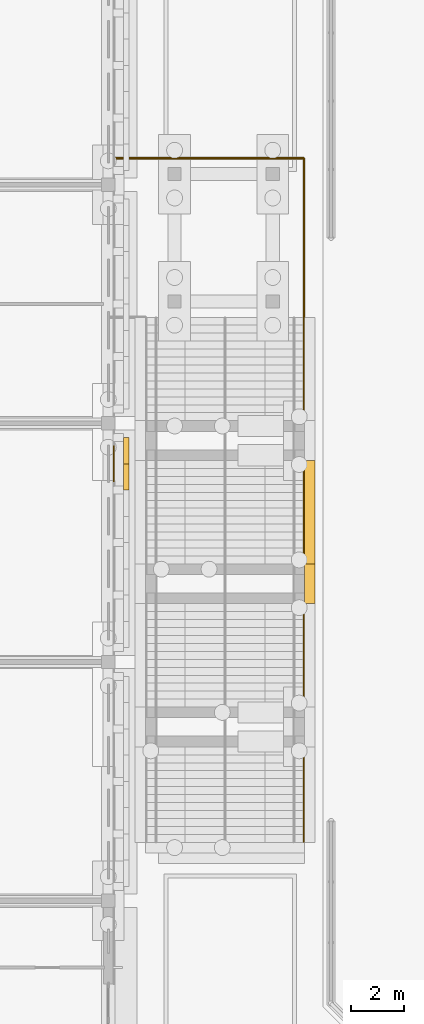
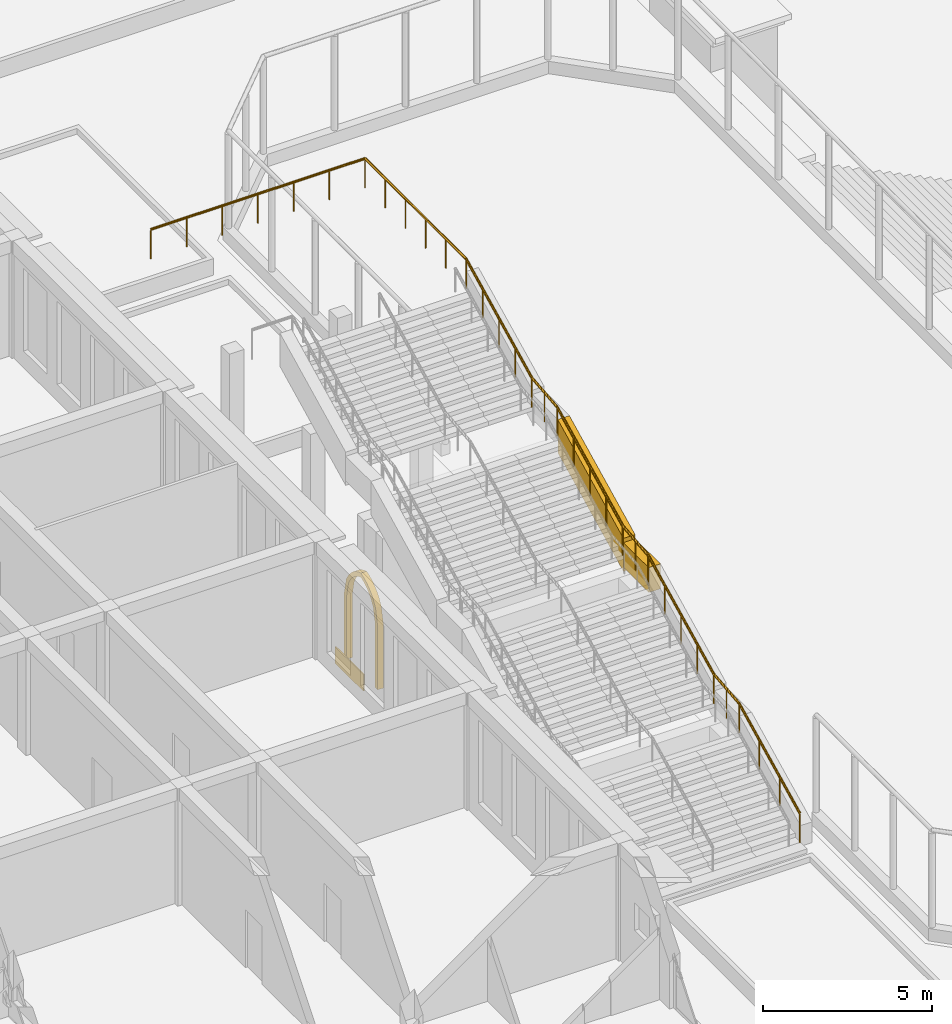
# One storey, part 136 of 161: 4 coverings, 1 railing.
"""IFC4 building model written with IfcOpenShell, lengths in metres."""

from ifc_helpers import new_model, si_unit, direction, frame, origin, origin_2d, place, context, subcontext, project, spatial, polyline, rectangle, circle, outline, extrude, material, layer, layer_set, type_object, element, save


model = new_model("IFC4")

# Units and contexts
model_context = context("Model", 3, precision=1e-05, world=origin(), true_north=direction((0.0, 1.0)))
body_context = subcontext(model_context, "Body", "Model", "MODEL_VIEW")
ifc_project = project(units=[si_unit("LENGTHUNIT", "METRE"), si_unit("AREAUNIT", "SQUARE_METRE"), si_unit("VOLUMEUNIT", "CUBIC_METRE"), si_unit("PLANEANGLEUNIT", "RADIAN"), si_unit("MASSUNIT", "GRAM", prefix="KILO")], contexts=[model_context])

# Site, building, storey
site_placement = place(None, origin())
site = spatial("IfcSite", under=ifc_project, at=site_placement, CompositionType="ELEMENT")
building_placement = place(site_placement, origin())
building = spatial("IfcBuilding", under=site, at=building_placement, Name="Elbe Cascade School", CompositionType="ELEMENT")
storey_placement = place(building_placement, origin())
storey = spatial("IfcBuildingStorey", under=building, at=storey_placement, Name="L00", CompositionType="ELEMENT", Elevation=0.0)

# Coverings
ifc_material_1 = material(Name="Sandstone - red", Category="masonry")
ifc_layer_1 = layer(ifc_material_1, 0.0400390625)
ifc_layer_set_1 = layer_set([ifc_layer_1], Name="Sandstone - red")
covering_type_1 = type_object("IfcCoveringType", Name="Bars envelope Sandstone cladding, red, 40 mm", PredefinedType="CLADDING", material=ifc_layer_set_1)
covering_1_placement = place(storey_placement, frame((175.10009765625, 31.469970703125, 0.0), z_axis=(0.0, 0.0, 1.0), x_axis=(0.0, 1.0, 0.0)))
element("IfcCovering", 1, at=covering_1_placement, inside=storey, type_object=covering_type_1, Name="Sandstone cladding CV48 D.L00.e.3.5", PredefinedType="CLADDING", context=body_context, shape_type="SweptSolid", body=[
    extrude(rectangle(XDim=1.679931640625, YDim=0.0400390625, at=origin_2d()), origin(), (0.0, 0.0, 1.0), 0.60009765625),
])
ifc_material_2 = material(Name="Sandstone - red", Category="masonry")
covering_type_2 = type_object("IfcCoveringType", Name="Bars envelope Sandstone pointed arch band, 1980 wide, 200 deep", PredefinedType="CLADDING", material=ifc_material_2)
covering_2_placement = place(storey_placement, frame((175.679931640625, 30.6298828125, 0.0), z_axis=(1.0, 0.0, 0.0), x_axis=(0.0, 0.0, 1.0)))
element("IfcCovering", 2, at=covering_2_placement, inside=storey, type_object=covering_type_2, Name="Arcade arch CV68 D.L00.e3.4", PredefinedType="CLADDING", context=body_context, shape_type="SweptSolid", body=[
    extrude(outline(polyline([(0.0, 0.0), (2.330078125, 0.0), (2.822509765625, -0.105224609375), (3.010498046875, -0.210205078125), (3.143310546875, -0.315185546875), (3.2451171875, -0.420166015625), (3.325927734375, -0.525146484375), (3.390380859375, -0.630126953125), (3.44091796875, -0.735107421875), (3.47998046875, -0.840087890625), (3.44091796875, -0.945068359375), (3.390380859375, -1.050048828125), (3.325927734375, -1.155029296875), (3.2451171875, -1.260009765625), (3.143310546875, -1.365234375), (3.010498046875, -1.47021484375), (2.822509765625, -1.5751953125), (2.330078125, -1.68017578125), (0.0, -1.68017578125), (0.0, -1.830078125), (2.330078125, -1.830078125), (2.894287109375, -1.706298828125), (3.108642578125, -1.58251953125), (3.25927734375, -1.458740234375), (3.3740234375, -1.335205078125), (3.464111328125, -1.21142578125), (3.53466796875, -1.087646484375), (3.58935546875, -0.9638671875), (3.6298828125, -0.840087890625), (3.58935546875, -0.71630859375), (3.53466796875, -0.592529296875), (3.464111328125, -0.46875), (3.3740234375, -0.34521484375), (3.25927734375, -0.221435546875), (3.108642578125, -0.09765625), (2.894287109375, 0.026123046875), (2.330078125, 0.14990234375), (0.0, 0.14990234375), (0.0, 0.0)])), origin(), (0.0, 0.0, -1.0), 0.199951171875),
])
ifc_material_3 = material(Name="Sandstone - red", Category="masonry")
ifc_layer_2 = layer(ifc_material_3, 0.39990234375)
ifc_layer_set_2 = layer_set([ifc_layer_2], Name="Sandstone - red")
covering_type_3 = type_object("IfcCoveringType", Name="Cascade cheek wall 400", PredefinedType="CLADDING", material=ifc_layer_set_2)
covering_3_placement = place(storey_placement, frame((182.300048828125, 27.699951171875, 4.78466796875), z_axis=(0.0, -0.44589078677, 0.895087373542), x_axis=(0.0, 0.895087373542, 0.44589078677)))
element("IfcCovering", 3, at=covering_3_placement, inside=storey, type_object=covering_type_3, Name="Cascade flight 3 cheek wall e", PredefinedType="CLADDING", context=body_context, shape_type="SweptSolid", body=[
    extrude(outline(polyline([(0.0, 0.0), (4.357280193711668, 0.0), (4.357280193711668, -0.39990234375), (0.0, -0.39990234375), (0.0, 0.0)])), origin(), (-0.44589078677, 0.0, -0.895087373542), 1.199951171875),
])
covering_4_placement = place(storey_placement, frame((0.0, 0.0, 3.7353515625)))
element("IfcCovering", 4, at=covering_4_placement, inside=storey, type_object=covering_type_3, Name="Cascade landing 2 cheek wall e", PredefinedType="CLADDING", context=body_context, shape_type="SweptSolid", body=[
    extrude(outline(polyline([(182.300048828125, 26.199951171875), (182.699951171875, 26.199951171875), (182.699951171875, 27.699951171875), (182.300048828125, 27.699951171875), (182.300048828125, 26.199951171875)])), origin(), (0.0, 0.0, 1.0), 0.89990234375),
])

# Railing
ifc_material_4 = material(Name="Steel S355J2H", Category="steel")
railing_type = type_object("IfcRailingType", Name="Track guard 1100", PredefinedType="GUARDRAIL", material=ifc_material_4)
railing_placement = place(storey_placement, frame((174.94189453125, 43.0, 8.219970703125)))
element("IfcRailing", 5, at=railing_placement, inside=storey, type_object=railing_type, Name="Track guard RL4 cascade east", PredefinedType="GUARDRAIL", context=body_context, shape_type="SweptSolid", body=[
    extrude(circle(Radius=0.0400390625, at=origin_2d()), frame((0.0, 0.0, 1.06005859375), z_axis=(1.0, 0.0, 0.0), x_axis=(0.0, 1.0, 0.0)), (0.0, 0.0, 1.0), 7.337158203125),
    extrude(circle(Radius=0.0400390625, at=origin_2d()), frame((7.337158203125, 0.0, 1.06005859375), z_axis=(0.0, -1.0, 0.0), x_axis=(1.0, 0.0, 0.0)), (0.0, 0.0, 1.0), 6.0),
    extrude(circle(Radius=0.0400390625, at=origin_2d()), frame((7.337158203125, -6.0, 1.06005859375), z_axis=(0.0, -0.895076232797, -0.445913150156), x_axis=(1.0, 0.0, 0.0)), (0.0, 0.0, 1.0), 4.357177734375),
    extrude(circle(Radius=0.0400390625, at=origin_2d()), frame((7.337158203125, -9.89990234375, -0.8828125), z_axis=(0.0, -0.995075601073, -0.099118858701), x_axis=(1.0, 0.0, 0.0)), (0.0, 0.0, 1.0), 1.50732421875),
    extrude(circle(Radius=0.0400390625, at=origin_2d()), frame((7.337158203125, -11.39990234375, -1.0322265625), z_axis=(0.0, -0.895087373542, -0.44589078677), x_axis=(1.0, 0.0, 0.0)), (0.0, 0.0, 1.0), 4.357177734375),
    extrude(circle(Radius=0.0400390625, at=origin_2d()), frame((7.337158203125, -15.300048828125, -2.97509765625), z_axis=(0.0, -0.995075601073, -0.099118858701), x_axis=(1.0, 0.0, 0.0)), (0.0, 0.0, 1.0), 1.50732421875),
    extrude(circle(Radius=0.0400390625, at=origin_2d()), frame((7.337158203125, -16.800048828125, -3.12451171875), z_axis=(0.0, -0.895053867861, -0.445958040209), x_axis=(1.0, 0.0, 0.0)), (0.0, 0.0, 1.0), 4.357177734375),
    extrude(circle(Radius=0.0400390625, at=origin_2d()), frame((7.337158203125, -20.699951171875, -5.067626953125), z_axis=(0.0, -0.995075601073, -0.099118858701), x_axis=(1.0, 0.0, 0.0)), (0.0, 0.0, 1.0), 1.50732421875),
    extrude(circle(Radius=0.0400390625, at=origin_2d()), frame((7.337158203125, -22.199951171875, -5.217041015625), z_axis=(0.0, -0.89508178973, -0.445901995616), x_axis=(1.0, 0.0, 0.0)), (0.0, 0.0, 1.0), 4.02197265625),
    extrude(circle(Radius=0.02099609375, at=origin_2d()), origin(), (0.0, 0.0, 1.0), 1.02001953125),
    extrude(circle(Radius=0.02099609375, at=origin_2d()), frame((1.222900390625, 0.0, 0.0)), (0.0, 0.0, 1.0), 1.02001953125),
    extrude(circle(Radius=0.02099609375, at=origin_2d()), frame((2.44580078125, 0.0, 0.0)), (0.0, 0.0, 1.0), 1.02001953125),
    extrude(circle(Radius=0.02099609375, at=origin_2d()), frame((3.66845703125, 0.0, 0.0)), (0.0, 0.0, 1.0), 1.02001953125),
    extrude(circle(Radius=0.02099609375, at=origin_2d()), frame((4.891357421875, 0.0, 0.0)), (0.0, 0.0, 1.0), 1.02001953125),
    extrude(circle(Radius=0.02099609375, at=origin_2d()), frame((6.1142578125, 0.0, 0.0)), (0.0, 0.0, 1.0), 1.02001953125),
    extrude(circle(Radius=0.02099609375, at=origin_2d()), frame((7.337158203125, 0.0, 0.0)), (0.0, 0.0, 1.0), 1.02001953125),
    extrude(circle(Radius=0.02099609375, at=origin_2d()), frame((7.337158203125, -1.199951171875, 0.0)), (0.0, 0.0, 1.0), 1.02001953125),
    extrude(circle(Radius=0.02099609375, at=origin_2d()), frame((7.337158203125, -2.39990234375, 0.0)), (0.0, 0.0, 1.0), 1.02001953125),
    extrude(circle(Radius=0.02099609375, at=origin_2d()), frame((7.337158203125, -3.60009765625, 0.0)), (0.0, 0.0, 1.0), 1.02001953125),
    extrude(circle(Radius=0.02099609375, at=origin_2d()), frame((7.337158203125, -4.800048828125, 0.0)), (0.0, 0.0, 1.0), 1.02001953125),
    extrude(circle(Radius=0.02099609375, at=origin_2d()), frame((7.337158203125, -6.0, 0.0)), (0.0, 0.0, 1.0), 1.02001953125),
    extrude(circle(Radius=0.02099609375, at=origin_2d()), frame((7.337158203125, -6.97509765625, -0.48583984375)), (0.0, 0.0, 1.0), 1.02001953125),
    extrude(circle(Radius=0.02099609375, at=origin_2d()), frame((7.337158203125, -7.949951171875, -0.971435546875)), (0.0, 0.0, 1.0), 1.02001953125),
    extrude(circle(Radius=0.02099609375, at=origin_2d()), frame((7.337158203125, -8.9248046875, -1.45703125)), (0.0, 0.0, 1.0), 1.02001953125),
    extrude(circle(Radius=0.02099609375, at=origin_2d()), frame((7.337158203125, -9.89990234375, -1.94287109375)), (0.0, 0.0, 1.0), 1.02001953125),
    extrude(circle(Radius=0.02099609375, at=origin_2d()), frame((7.337158203125, -10.64990234375, -2.017578125)), (0.0, 0.0, 1.0), 1.02001953125),
    extrude(circle(Radius=0.02099609375, at=origin_2d()), frame((7.337158203125, -11.39990234375, -2.09228515625)), (0.0, 0.0, 1.0), 1.02001953125),
    extrude(circle(Radius=0.02099609375, at=origin_2d()), frame((7.337158203125, -12.375, -2.578125)), (0.0, 0.0, 1.0), 1.02001953125),
    extrude(circle(Radius=0.02099609375, at=origin_2d()), frame((7.337158203125, -13.35009765625, -3.063720703125)), (0.0, 0.0, 1.0), 1.02001953125),
    extrude(circle(Radius=0.02099609375, at=origin_2d()), frame((7.337158203125, -14.324951171875, -3.54931640625)), (0.0, 0.0, 1.0), 1.02001953125),
    extrude(circle(Radius=0.02099609375, at=origin_2d()), frame((7.337158203125, -15.300048828125, -4.03515625)), (0.0, 0.0, 1.0), 1.02001953125),
    extrude(circle(Radius=0.02099609375, at=origin_2d()), frame((7.337158203125, -16.050048828125, -4.10986328125)), (0.0, 0.0, 1.0), 1.02001953125),
    extrude(circle(Radius=0.02099609375, at=origin_2d()), frame((7.337158203125, -16.800048828125, -4.1845703125)), (0.0, 0.0, 1.0), 1.02001953125),
    extrude(circle(Radius=0.02099609375, at=origin_2d()), frame((7.337158203125, -17.77490234375, -4.67041015625)), (0.0, 0.0, 1.0), 1.02001953125),
    extrude(circle(Radius=0.02099609375, at=origin_2d()), frame((7.337158203125, -18.75, -5.15625)), (0.0, 0.0, 1.0), 1.02001953125),
    extrude(circle(Radius=0.02099609375, at=origin_2d()), frame((7.337158203125, -19.72509765625, -5.641845703125)), (0.0, 0.0, 1.0), 1.02001953125),
    extrude(circle(Radius=0.02099609375, at=origin_2d()), frame((7.337158203125, -20.699951171875, -6.127685546875)), (0.0, 0.0, 1.0), 1.02001953125),
    extrude(circle(Radius=0.02099609375, at=origin_2d()), frame((7.337158203125, -21.449951171875, -6.202392578125)), (0.0, 0.0, 1.0), 1.02001953125),
    extrude(circle(Radius=0.02099609375, at=origin_2d()), frame((7.337158203125, -22.199951171875, -6.277099609375)), (0.0, 0.0, 1.0), 1.02001953125),
    extrude(circle(Radius=0.02099609375, at=origin_2d()), frame((7.337158203125, -23.39990234375, -6.875)), (0.0, 0.0, 1.0), 1.02001953125),
    extrude(circle(Radius=0.02099609375, at=origin_2d()), frame((7.337158203125, -24.60009765625, -7.47265625)), (0.0, 0.0, 1.0), 1.02001953125),
    extrude(circle(Radius=0.02099609375, at=origin_2d()), frame((7.337158203125, -25.800048828125, -8.070556640625)), (0.0, 0.0, 1.0), 1.02001953125),
])

save(model, "model.ifc")
